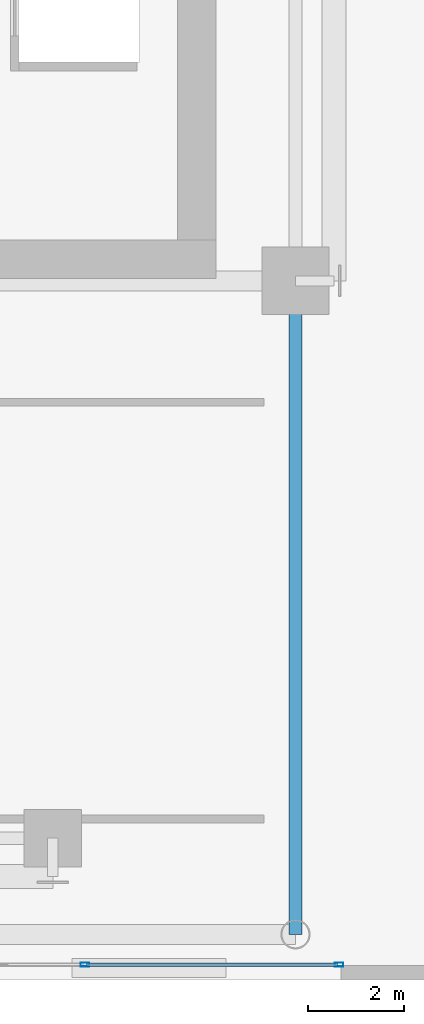
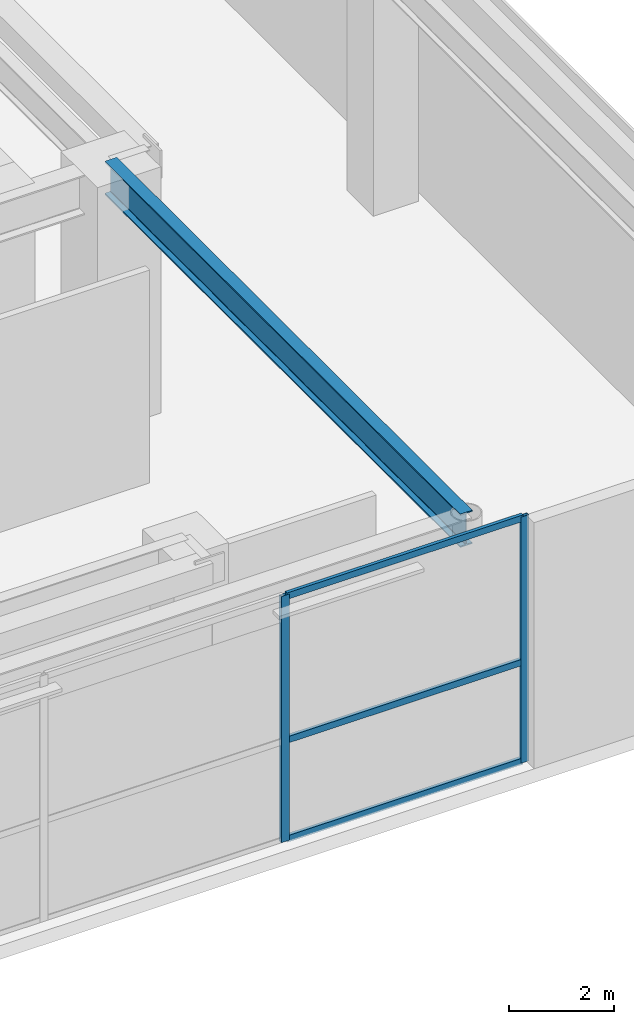
# One storey, part 10 of 29: 5 members, 1 beam, 1 element without a shape of its own.
"""IFC4 building model written with IfcOpenShell, lengths in metres."""

from ifc_helpers import new_model, si_unit, direction, frame, origin, origin_2d, place, context, subcontext, project, spatial, hollow_rectangle, i_section, extrude, source, transform, mapped, material, layer, layer_set, material_profile, profile_set, type_object, element, aggregate, save


model = new_model("IFC4")

# Units and contexts
model_context = context("Model", 3, precision=1e-05, world=origin(), true_north=direction((0.0, 1.0)))
body_context = subcontext(model_context, "Body", "Model", "MODEL_VIEW")
ifc_project = project(units=[si_unit("LENGTHUNIT", "METRE"), si_unit("AREAUNIT", "SQUARE_METRE"), si_unit("VOLUMEUNIT", "CUBIC_METRE"), si_unit("PLANEANGLEUNIT", "RADIAN"), si_unit("MASSUNIT", "GRAM", prefix="KILO")], contexts=[model_context])

# Site, building, storey
site_placement = place(None, origin())
site = spatial("IfcSite", under=ifc_project, at=site_placement, CompositionType="ELEMENT")
building_placement = place(site_placement, origin())
building = spatial("IfcBuilding", under=site, at=building_placement, Name="Ocotamira Hotel", CompositionType="ELEMENT")
storey_placement = place(building_placement, frame((0.0, 0.0, 28.800048828125)))
storey = spatial("IfcBuildingStorey", under=building, at=storey_placement, Name="L06", CompositionType="ELEMENT", Elevation=28.800048828125)

# Beam
ifc_material_1 = material(Name="Steel ASTM A992 Grade 50", Category="steel")
ifc_material_profile_1 = material_profile(ifc_material_1, i_section(OverallWidth=0.26611328125, OverallDepth=0.779052734375, WebThickness=0.0166015625, FlangeThickness=0.030029296875, FilletRadius=0.01806640625, at=origin_2d()), Name="W30X148")
ifc_profile_set_1 = profile_set([ifc_material_profile_1], Name="Steel ASTM A992 Grade 50")
beam_type = type_object("IfcBeamType", Name="BM-GIRD-W30X148", PredefinedType="BEAM", material=ifc_profile_set_1)
shared_shape_1 = source(origin(), body_context, "Body", "SweptSolid", [
    extrude(i_section(OverallWidth=0.26611328125, OverallDepth=0.779052734375, WebThickness=0.0166015625, FlangeThickness=0.030029296875, FilletRadius=0.01806640625, at=origin_2d()), origin(), (0.0, 0.0, 1.0), 13.60009765625),
])
beam_placement = place(storey_placement, frame((55.050048828125, 0.949951171875, 5.3603515625), z_axis=(0.0, 1.0, 0.0), x_axis=(-1.0, 0.0, 0.0)))
element("IfcBeam", 1, at=beam_placement, inside=storey, type_object=beam_type, Name="L06 Beam X55.05 Y0.95-14.55", PredefinedType="BEAM", context=body_context, shape_type="MappedRepresentation", body=[
    mapped(shared_shape_1, transform((0.0, 0.0, 0.0), scale=1.0)),
])

# Curtain wall, members
ifc_material_2 = material(Name="Anodised pale-metal aluminium and solar glass", Category="aluminium")
ifc_layer = layer(ifc_material_2, 0.239990234375)
ifc_layer_set = layer_set([ifc_layer], Name="Anodised pale-metal aluminium and solar glass")
curtain_wall_type = type_object("IfcCurtainWallType", Name="CW-SYS5-SKY", PredefinedType="NOTDEFINED", material=ifc_layer_set)
curtain_wall_placement = place(storey_placement, origin())
curtain_wall = element("IfcCurtainWall", 2, at=curtain_wall_placement, inside=storey, type_object=curtain_wall_type, Name="L06 Curtain Wall CW-5 CW-L06-S3", PredefinedType="NOTDEFINED")
ifc_material_3 = material(Name="Anodised pale-metal aluminium 6063-T6", Category="aluminium")
ifc_material_profile_2 = material_profile(ifc_material_3, hollow_rectangle(XDim=0.074951171875, YDim=0.14990234375, WallThickness=0.006103515625, at=origin_2d()), Name="HSS150X75X6")
ifc_profile_set_2 = profile_set([ifc_material_profile_2], Name="Anodised pale-metal aluminium 6063-T6")
member_type_1 = type_object("IfcMemberType", Name="CWT-150X75", PredefinedType="USERDEFINED", material=ifc_profile_set_2)
shared_shape_2 = source(origin(), body_context, "Body", "SweptSolid", [
    extrude(hollow_rectangle(XDim=0.074951171875, YDim=0.14990234375, WallThickness=0.006103515625, at=origin_2d()), origin(), (0.0, 0.0, 1.0), 5.213134765625),
])
member_1_placement = place(storey_placement, frame((50.706787109375, 0.320068359375, 0.037353515625), z_axis=(1.0, 0.0, 0.0), x_axis=(0.0, 1.0, 0.0)))
member_1 = element("IfcMember", 3, at=member_1_placement, type_object=member_type_1, Name="CW-5 transom 3.1", ObjectType="TRANSOM", PredefinedType="USERDEFINED", context=body_context, shape_type="MappedRepresentation", body=[
    mapped(shared_shape_2, transform((0.0, 0.0, 0.0), scale=1.0)),
])
member_2_placement = place(storey_placement, frame((50.706787109375, 0.320068359375, 2.349853515625), z_axis=(1.0, 0.0, 0.0), x_axis=(0.0, 1.0, 0.0)))
member_2 = element("IfcMember", 4, at=member_2_placement, type_object=member_type_1, Name="CW-5 transom 3.2", ObjectType="TRANSOM", PredefinedType="USERDEFINED", context=body_context, shape_type="MappedRepresentation", body=[
    mapped(shared_shape_2, transform((0.0, 0.0, 0.0), scale=1.0)),
])
member_3_placement = place(storey_placement, frame((50.706787109375, 0.320068359375, 5.71240234375), z_axis=(1.0, 0.0, 0.0), x_axis=(0.0, 1.0, 0.0)))
member_3 = element("IfcMember", 5, at=member_3_placement, type_object=member_type_1, Name="CW-5 transom 3.3", ObjectType="TRANSOM", PredefinedType="USERDEFINED", context=body_context, shape_type="MappedRepresentation", body=[
    mapped(shared_shape_2, transform((0.0, 0.0, 0.0), scale=1.0)),
])
ifc_material_profile_3 = material_profile(ifc_material_3, hollow_rectangle(XDim=0.080078125, YDim=0.179931640625, WallThickness=0.006103515625, at=origin_2d()), Name="HSS180X80X6")
ifc_profile_set_3 = profile_set([ifc_material_profile_3], Name="Anodised pale-metal aluminium 6063-T6")
member_type_2 = type_object("IfcMemberType", Name="CWM-180X75", PredefinedType="MULLION", material=ifc_profile_set_3)
shared_shape_3 = source(origin(), body_context, "Body", "SweptSolid", [
    extrude(hollow_rectangle(XDim=0.080078125, YDim=0.179931640625, WallThickness=0.006103515625, at=origin_2d()), origin(), (0.0, 0.0, 1.0), 5.75),
])
member_4_placement = place(storey_placement, frame((50.666748046875, 0.320068359375, 0.0), z_axis=(0.0, 0.0, 1.0), x_axis=(0.0, 1.0, 0.0)))
member_4 = element("IfcMember", 6, at=member_4_placement, type_object=member_type_2, Name="CW-5 mullion 3", PredefinedType="MULLION", context=body_context, shape_type="MappedRepresentation", body=[
    mapped(shared_shape_3, transform((0.0, 0.0, 0.0), scale=1.0)),
])
member_5_placement = place(storey_placement, frame((55.9599609375, 0.320068359375, 0.0), z_axis=(0.0, 0.0, 1.0), x_axis=(0.0, 1.0, 0.0)))
member_5 = element("IfcMember", 7, at=member_5_placement, type_object=member_type_2, Name="CW-5 mullion 4", PredefinedType="MULLION", context=body_context, shape_type="MappedRepresentation", body=[
    mapped(shared_shape_3, transform((0.0, 0.0, 0.0), scale=1.0)),
])
aggregate(curtain_wall, [member_4, member_5, member_1, member_2, member_3])

save(model, "model.ifc")
